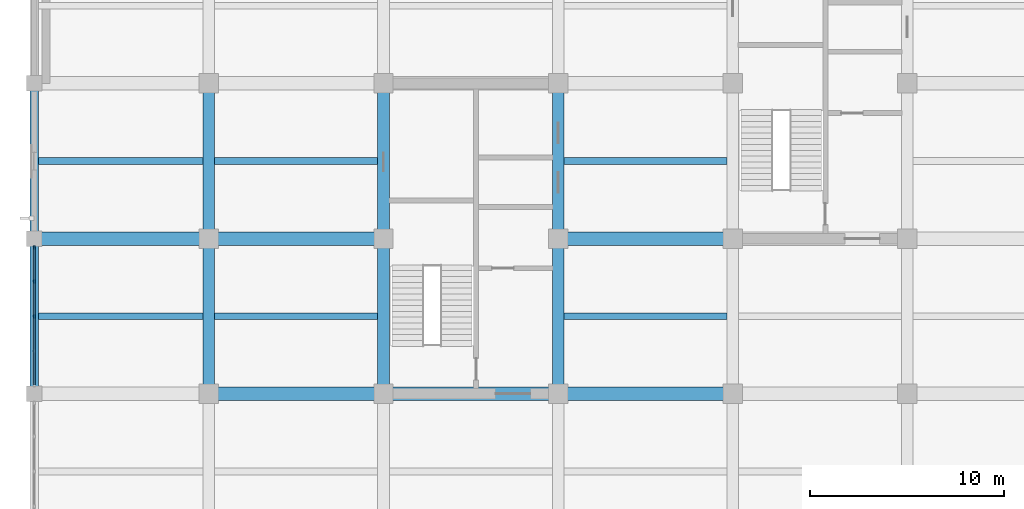
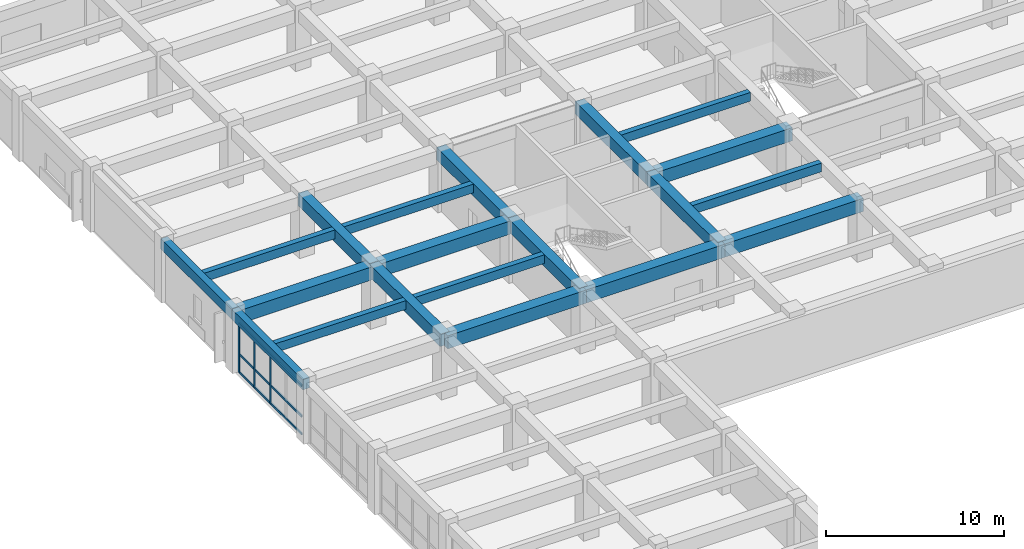
# One storey, part 14 of 50: 20 beams, 6 members, 1 element without a shape of its own.
"""IFC4 building model written with IfcOpenShell, lengths in metres."""

from ifc_helpers import new_model, si_unit, direction, frame, origin, origin_2d, place, context, subcontext, project, spatial, rectangle, extrude, material, material_profile, profile_set, type_object, element, aggregate, save


model = new_model("IFC4")

# Units and contexts
model_context = context("Model", 3, precision=1e-05, world=origin(), true_north=direction((0.0, 1.0)))
body_context = subcontext(model_context, "Body", "Model", "MODEL_VIEW")
ifc_project = project(units=[si_unit("LENGTHUNIT", "METRE"), si_unit("AREAUNIT", "SQUARE_METRE"), si_unit("VOLUMEUNIT", "CUBIC_METRE"), si_unit("PLANEANGLEUNIT", "RADIAN"), si_unit("MASSUNIT", "GRAM", prefix="KILO")], contexts=[model_context])

# Site, building, storey
site_placement = place(None, origin())
site = spatial("IfcSite", under=ifc_project, at=site_placement, CompositionType="ELEMENT")
building_placement = place(site_placement, origin())
building = spatial("IfcBuilding", under=site, at=building_placement, Name="Zaverband Oceanarium and Marine Research Institute", CompositionType="ELEMENT")
storey_placement = place(building_placement, frame((0.0, 0.0, 9.0)))
storey = spatial("IfcBuildingStorey", under=building, at=storey_placement, Name="L02", CompositionType="ELEMENT", Elevation=9.0)

# Beams
ifc_material_1 = material(Name="Concrete C40/50", Category="concrete")
ifc_material_profile_1 = material_profile(ifc_material_1, rectangle(XDim=0.60009765625, YDim=0.85009765625, at=origin_2d()), Name="RC600x850")
ifc_profile_set_1 = profile_set([ifc_material_profile_1], Name="Concrete C40/50")
beam_type_1 = type_object("IfcBeamType", Name="BM-600x850", PredefinedType="BEAM", material=ifc_profile_set_1)
for number, where, z_axis, x_axis, name in (
    (1, (9.0, 80.0, 3.715087890625), (0.0, 1.0, 0.0), (-1.0, 0.0, 0.0), "Primary floor girder BM-600x850"),
    (2, (9.0, 88.0, 3.715087890625), (0.0, 1.0, 0.0), (-1.0, 0.0, 0.0), "Primary floor girder BM-600x850"),
    (3, (18.0, 80.0, 3.715087890625), (0.0, 1.0, 0.0), (-1.0, 0.0, 0.0), "Primary floor girder BM-600x850"),
    (4, (18.0, 88.0, 3.715087890625), (0.0, 1.0, 0.0), (-1.0, 0.0, 0.0), "Primary floor girder BM-600x850"),
    (5, (27.0, 80.0, 3.715087890625), (0.0, 1.0, 0.0), (-1.0, 0.0, 0.0), "Primary floor girder BM-600x850"),
    (6, (27.0, 88.0, 3.715087890625), (0.0, 1.0, 0.0), (-1.0, 0.0, 0.0), "Primary floor girder BM-600x850"),
):
    element("IfcBeam", number, at=place(storey_placement, frame(where, z_axis=z_axis, x_axis=x_axis)), inside=storey, type_object=beam_type_1, Name=name, PredefinedType="BEAM", context=body_context, shape_type="SweptSolid", body=[
        extrude(rectangle(XDim=0.60009765625, YDim=0.85009765625, at=origin_2d()), origin(), (0.0, 0.0, 1.0), 8.0),
    ])
ifc_material_profile_2 = material_profile(ifc_material_1, rectangle(XDim=0.699951171875, YDim=0.89990234375, at=origin_2d()), Name="RC700x900")
ifc_profile_set_2 = profile_set([ifc_material_profile_2], Name="Concrete C40/50")
beam_type_2 = type_object("IfcBeamType", Name="BM-700x900", PredefinedType="BEAM", material=ifc_profile_set_2)
for number, where, z_axis, x_axis, name in (
    (7, (9.0, 80.0, 3.68994140625), (1.0, 0.0, 0.0), (0.0, 1.0, 0.0), "Primary floor girder BM-700x900"),
    (8, (18.0, 80.0, 3.68994140625), (1.0, 0.0, 0.0), (0.0, 1.0, 0.0), "Primary floor girder BM-700x900"),
    (9, (27.0, 80.0, 3.68994140625), (1.0, 0.0, 0.0), (0.0, 1.0, 0.0), "Primary floor girder BM-700x900"),
    (10, (0.0, 88.0, 3.68994140625), (1.0, 0.0, 0.0), (0.0, 1.0, 0.0), "Primary floor girder BM-700x900"),
    (11, (9.0, 88.0, 3.68994140625), (1.0, 0.0, 0.0), (0.0, 1.0, 0.0), "Primary floor girder BM-700x900"),
    (12, (27.0, 88.0, 3.68994140625), (1.0, 0.0, 0.0), (0.0, 1.0, 0.0), "Primary floor girder BM-700x900"),
):
    element("IfcBeam", number, at=place(storey_placement, frame(where, z_axis=z_axis, x_axis=x_axis)), inside=storey, type_object=beam_type_2, Name=name, PredefinedType="BEAM", context=body_context, shape_type="SweptSolid", body=[
        extrude(rectangle(XDim=0.699951171875, YDim=0.89990234375, at=origin_2d()), origin(), (0.0, 0.0, 1.0), 9.0),
    ])
ifc_material_profile_3 = material_profile(ifc_material_1, rectangle(XDim=0.35009765625, YDim=0.60009765625, at=origin_2d()), Name="RC350x600")
ifc_profile_set_3 = profile_set([ifc_material_profile_3], Name="Concrete C40/50")
beam_type_3 = type_object("IfcBeamType", Name="JST-350x600", PredefinedType="JOIST", material=ifc_profile_set_3)
for number, where, z_axis, x_axis, name in (
    (13, (0.22509765625, 84.0, 3.840087890625), (1.0, 0.0, 0.0), (0.0, 1.0, 0.0), "Secondary floor joist JST-350x600"),
    (14, (0.22509765625, 92.0, 3.840087890625), (1.0, 0.0, 0.0), (0.0, 1.0, 0.0), "Secondary floor joist JST-350x600"),
):
    element("IfcBeam", number, at=place(storey_placement, frame(where, z_axis=z_axis, x_axis=x_axis)), inside=storey, type_object=beam_type_3, Name=name, PredefinedType="JOIST", context=body_context, shape_type="SweptSolid", body=[
        extrude(rectangle(XDim=0.35009765625, YDim=0.60009765625, at=origin_2d()), origin(), (0.0, 0.0, 1.0), 8.474853515625),
    ])
for number, where, z_axis, x_axis, name in (
    (15, (9.300048828125, 84.0, 3.840087890625), (1.0, 0.0, 0.0), (0.0, 1.0, 0.0), "Secondary floor joist JST-350x600"),
    (16, (9.300048828125, 92.0, 3.840087890625), (1.0, 0.0, 0.0), (0.0, 1.0, 0.0), "Secondary floor joist JST-350x600"),
    (17, (27.300048828125, 84.0, 3.840087890625), (1.0, 0.0, 0.0), (0.0, 1.0, 0.0), "Secondary floor joist JST-350x600"),
    (18, (27.300048828125, 92.0, 3.840087890625), (1.0, 0.0, 0.0), (0.0, 1.0, 0.0), "Secondary floor joist JST-350x600"),
):
    element("IfcBeam", number, at=place(storey_placement, frame(where, z_axis=z_axis, x_axis=x_axis)), inside=storey, type_object=beam_type_3, Name=name, PredefinedType="JOIST", context=body_context, shape_type="SweptSolid", body=[
        extrude(rectangle(XDim=0.35009765625, YDim=0.60009765625, at=origin_2d()), origin(), (0.0, 0.0, 1.0), 8.39990234375),
    ])

# Curtain wall, members
ifc_material_2 = material(Name="Thermally broken anodized aluminium and solar-control glass", Category="aluminium")
curtain_wall_type = type_object("IfcCurtainWallType", Name="CW-UNIT-1800", PredefinedType="NOTDEFINED", material=ifc_material_2)
curtain_wall_placement = place(storey_placement, origin())
curtain_wall = element("IfcCurtainWall", 19, at=curtain_wall_placement, inside=storey, type_object=curtain_wall_type, Name="Unitised glazed curtain wall CW-057", PredefinedType="NOTDEFINED")
ifc_material_3 = material(Name="Thermally broken anodized aluminium", Category="aluminium")
ifc_material_profile_4 = material_profile(ifc_material_3, rectangle(XDim=0.080078125, YDim=0.179931640625, at=origin_2d()), Name="AL-MUL-80x180")
ifc_profile_set_4 = profile_set([ifc_material_profile_4], Name="Thermally broken anodized aluminium")
member_type_1 = type_object("IfcMemberType", Name="MUL-80x180", PredefinedType="MULLION", material=ifc_profile_set_4)
member_1_placement = place(storey_placement, frame((0.0, 84.0, 0.0), z_axis=(0.0, 0.0, 1.0), x_axis=(1.0, 0.0, 0.0)))
member_1 = element("IfcMember", 20, at=member_1_placement, type_object=member_type_1, Name="Curtain wall vertical mullion MUL-80x180", PredefinedType="MULLION", context=body_context, shape_type="SweptSolid", body=[
    extrude(rectangle(XDim=0.080078125, YDim=0.179931640625, at=origin_2d()), origin(), (0.0, 0.0, 1.0), 3.419921875),
])
member_2_placement = place(storey_placement, frame((0.0, 85.797607421875, 0.0), z_axis=(0.0, 0.0, 1.0), x_axis=(1.0, 0.0, 0.0)))
member_2 = element("IfcMember", 21, at=member_2_placement, type_object=member_type_1, Name="Curtain wall vertical mullion MUL-80x180", PredefinedType="MULLION", context=body_context, shape_type="SweptSolid", body=[
    extrude(rectangle(XDim=0.080078125, YDim=0.179931640625, at=origin_2d()), origin(), (0.0, 0.0, 1.0), 3.419921875),
])
member_3_placement = place(storey_placement, frame((0.0, 87.534912109375, 0.0), z_axis=(0.0, 0.0, 1.0), x_axis=(1.0, 0.0, 0.0)))
member_3 = element("IfcMember", 22, at=member_3_placement, type_object=member_type_1, Name="Curtain wall vertical mullion MUL-80x180", PredefinedType="MULLION", context=body_context, shape_type="SweptSolid", body=[
    extrude(rectangle(XDim=0.080078125, YDim=0.179931640625, at=origin_2d()), origin(), (0.0, 0.0, 1.0), 3.419921875),
])

# Beams
ifc_material_profile_5 = material_profile(ifc_material_1, rectangle(XDim=0.449951171875, YDim=0.699951171875, at=origin_2d()), Name="RC450x700")
ifc_profile_set_5 = profile_set([ifc_material_profile_5], Name="Concrete C40/50")
beam_type_4 = type_object("IfcBeamType", Name="SPN-450x700", PredefinedType="SPANDREL", material=ifc_profile_set_5)
for number, where, z_axis, x_axis, name in (
    (23, (0.0, 80.0, 3.7900390625), (0.0, 1.0, 0.0), (-1.0, 0.0, 0.0), "Perimeter spandrel beam SPN-450x700"),
    (24, (0.0, 88.0, 3.7900390625), (0.0, 1.0, 0.0), (-1.0, 0.0, 0.0), "Perimeter spandrel beam SPN-450x700"),
):
    element("IfcBeam", number, at=place(storey_placement, frame(where, z_axis=z_axis, x_axis=x_axis)), inside=storey, type_object=beam_type_4, Name=name, PredefinedType="SPANDREL", context=body_context, shape_type="SweptSolid", body=[
        extrude(rectangle(XDim=0.449951171875, YDim=0.699951171875, at=origin_2d()), origin(), (0.0, 0.0, 1.0), 8.0),
    ])

# Member
ifc_material_profile_6 = material_profile(ifc_material_3, rectangle(XDim=0.080078125, YDim=0.139892578125, at=origin_2d()), Name="AL-TRN-80x140")
ifc_profile_set_6 = profile_set([ifc_material_profile_6], Name="Thermally broken anodized aluminium")
member_type_2 = type_object("IfcMemberType", Name="TRN-80x140", PredefinedType="USERDEFINED", material=ifc_profile_set_6)
member_4_placement = place(storey_placement, frame((0.0, 80.465087890625, 0.050048828125), z_axis=(0.0, 1.0, 0.0), x_axis=(-1.0, 0.0, 0.0)))
member_4 = element("IfcMember", 25, at=member_4_placement, type_object=member_type_2, Name="Curtain wall horizontal transom TRN-80x140", ObjectType="TRANSOM", PredefinedType="USERDEFINED", context=body_context, shape_type="SweptSolid", body=[
    extrude(rectangle(XDim=0.080078125, YDim=0.139892578125, at=origin_2d()), origin(), (0.0, 0.0, 1.0), 7.06982421875),
])

member_5_placement = place(storey_placement, frame((0.0, 80.465087890625, 1.277099609375), z_axis=(0.0, 1.0, 0.0), x_axis=(-1.0, 0.0, 0.0)))
member_5 = element("IfcMember", 26, at=member_5_placement, type_object=member_type_2, Name="Curtain wall horizontal transom TRN-80x140", ObjectType="TRANSOM", PredefinedType="USERDEFINED", context=body_context, shape_type="SweptSolid", body=[
    extrude(rectangle(XDim=0.080078125, YDim=0.139892578125, at=origin_2d()), origin(), (0.0, 0.0, 1.0), 7.06982421875),
])

member_6_placement = place(storey_placement, frame((0.0, 80.465087890625, 3.3701171875), z_axis=(0.0, 1.0, 0.0), x_axis=(-1.0, 0.0, 0.0)))
member_6 = element("IfcMember", 27, at=member_6_placement, type_object=member_type_2, Name="Curtain wall horizontal transom TRN-80x140", ObjectType="TRANSOM", PredefinedType="USERDEFINED", context=body_context, shape_type="SweptSolid", body=[
    extrude(rectangle(XDim=0.080078125, YDim=0.139892578125, at=origin_2d()), origin(), (0.0, 0.0, 1.0), 7.06982421875),
])

aggregate(curtain_wall, [member_1, member_2, member_3, member_4, member_5, member_6])

save(model, "model.ifc")
